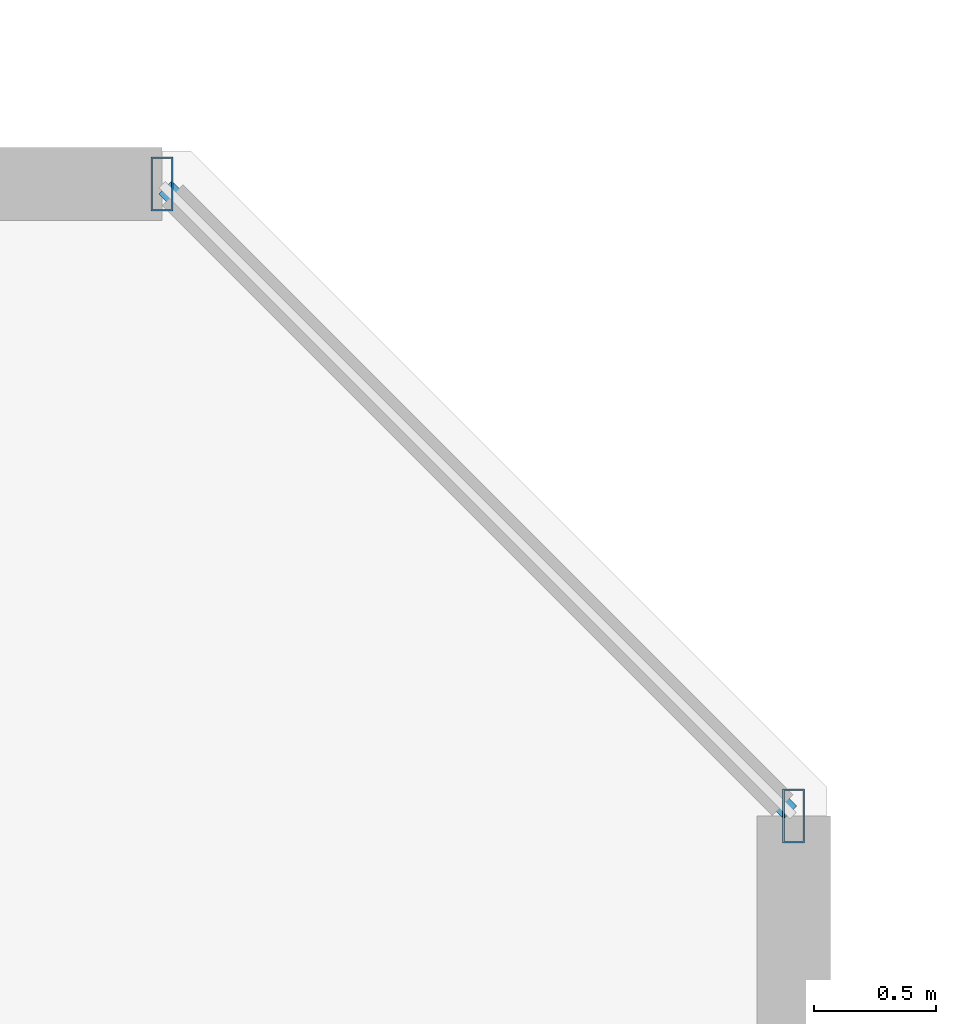
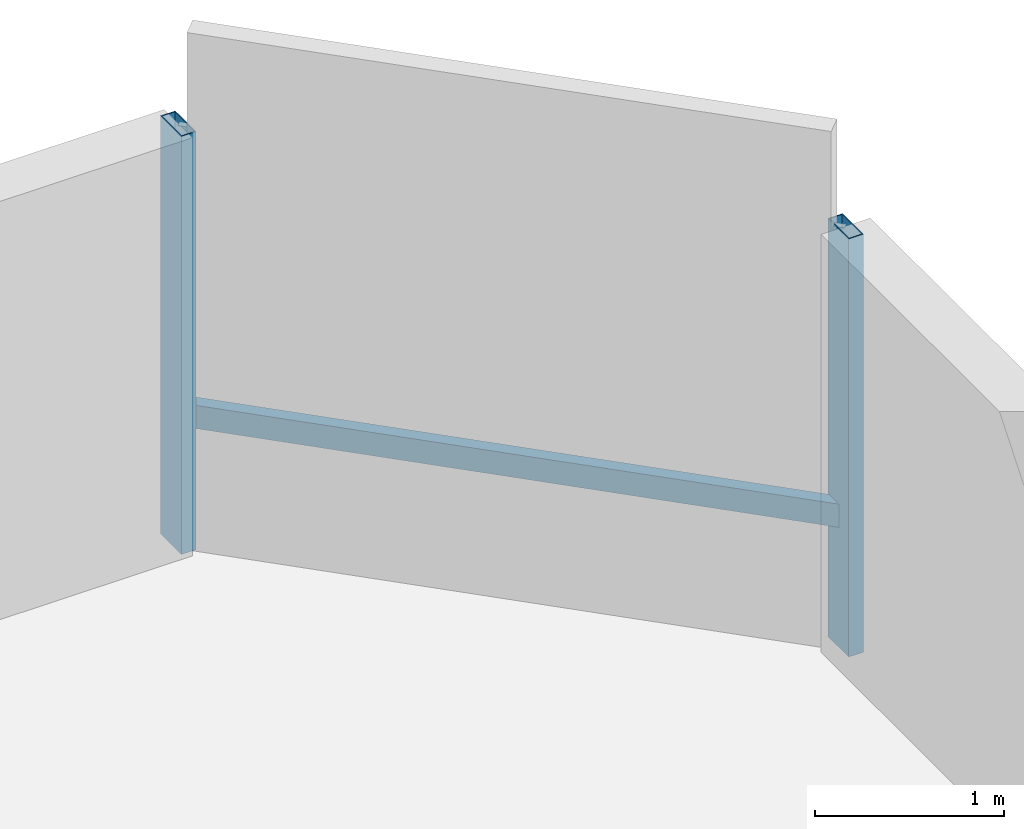
# One storey, part 19 of 35: 3 members, 1 element without a shape of its own.
"""IFC4 building model written with IfcOpenShell, lengths in metres."""

from ifc_helpers import new_model, si_unit, direction, frame, origin, origin_2d, place, context, subcontext, project, spatial, hollow_rectangle, extrude, material, material_profile, profile_set, type_object, element, aggregate, save


model = new_model("IFC4")

# Units and contexts
model_context = context("Model", 3, precision=1e-05, world=origin(), true_north=direction((0.0, 1.0)))
body_context = subcontext(model_context, "Body", "Model", "MODEL_VIEW")
ifc_project = project(units=[si_unit("LENGTHUNIT", "METRE"), si_unit("AREAUNIT", "SQUARE_METRE"), si_unit("VOLUMEUNIT", "CUBIC_METRE"), si_unit("PLANEANGLEUNIT", "RADIAN"), si_unit("MASSUNIT", "GRAM", prefix="KILO")], contexts=[model_context])

# Site, building, storey
site_placement = place(None, origin())
site = spatial("IfcSite", under=ifc_project, at=site_placement, CompositionType="ELEMENT")
building_placement = place(site_placement, origin())
building = spatial("IfcBuilding", under=site, at=building_placement, Name="Thornwick Lancets Civic Towers", CompositionType="ELEMENT")
storey_placement = place(building_placement, frame((0.0, 0.0, 64.5)))
storey = spatial("IfcBuildingStorey", under=building, at=storey_placement, Name="L16", CompositionType="ELEMENT", Elevation=64.5)

# Curtain wall, members
ifc_material_1 = material(Name="Low-zone chamfered-corner unitised glass curtain wall", Category="glass")
curtain_wall_type = type_object("IfcCurtainWallType", Name="CW_SYS_03", PredefinedType="NOTDEFINED", material=ifc_material_1)
curtain_wall_placement = place(storey_placement, origin())
curtain_wall = element("IfcCurtainWall", 1, at=curtain_wall_placement, inside=storey, type_object=curtain_wall_type, Name="L16 Curtain Wall CW-L16-B-E3", PredefinedType="NOTDEFINED")
ifc_material_2 = material(Name="Thermally broken bronze aluminium S355", Category="steel")
ifc_material_profile_1 = material_profile(ifc_material_2, hollow_rectangle(XDim=0.090087890625, YDim=0.219970703125, WallThickness=0.00634765625, at=origin_2d()), Name="RHS 220x90x6.3")
ifc_profile_set_1 = profile_set([ifc_material_profile_1], Name="Thermally broken bronze aluminium S355")
member_type_1 = type_object("IfcMemberType", Name="CW_MUL_220", PredefinedType="MULLION", material=ifc_profile_set_1)
member_1_placement = place(storey_placement, frame((112.764892578125, 48.68115234375, 0.0), z_axis=(0.0, 0.0, 1.0), x_axis=(1.0, 0.0, 0.0)))
member_1 = element("IfcMember", 2, at=member_1_placement, type_object=member_type_1, Name="CW-L16-B-E3 Mullion 0", PredefinedType="MULLION", context=body_context, shape_type="SweptSolid", body=[
    extrude(hollow_rectangle(XDim=0.090087890625, YDim=0.219970703125, WallThickness=0.00634765625, at=origin_2d()), origin(), (0.0, 0.0, 1.0), 2.699951171875),
])
member_2_placement = place(storey_placement, frame((110.18115234375, 51.264892578125, 0.0), z_axis=(0.0, 0.0, 1.0), x_axis=(1.0, 0.0, 0.0)))
member_2 = element("IfcMember", 3, at=member_2_placement, type_object=member_type_1, Name="CW-L16-B-E3 Mullion 1", PredefinedType="MULLION", context=body_context, shape_type="SweptSolid", body=[
    extrude(hollow_rectangle(XDim=0.090087890625, YDim=0.219970703125, WallThickness=0.00634765625, at=origin_2d()), origin(), (0.0, 0.0, 1.0), 2.699951171875),
])
ifc_material_profile_2 = material_profile(ifc_material_2, hollow_rectangle(XDim=0.074951171875, YDim=0.14990234375, WallThickness=0.0048828125, at=origin_2d()), Name="RHS 150x75x5")
ifc_profile_set_2 = profile_set([ifc_material_profile_2], Name="Thermally broken bronze aluminium S355")
member_type_2 = type_object("IfcMemberType", Name="CW_TRN_150", PredefinedType="USERDEFINED", material=ifc_profile_set_2)
member_3_placement = place(storey_placement, frame((112.750732421875, 48.6953125, 0.85009765625), z_axis=(-0.707106781187, 0.707106781187, 0.0), x_axis=(-0.707106781187, -0.707106781187, 0.0)))
member_3 = element("IfcMember", 4, at=member_3_placement, type_object=member_type_2, Name="CW-L16-B-E3 Transom 0", ObjectType="TRANSOM", PredefinedType="USERDEFINED", context=body_context, shape_type="SweptSolid", body=[
    extrude(hollow_rectangle(XDim=0.074951171875, YDim=0.14990234375, WallThickness=0.0048828125, at=origin_2d()), origin(), (0.0, 0.0, 1.0), 3.614013671875),
])
aggregate(curtain_wall, [member_1, member_2, member_3])

save(model, "model.ifc")
